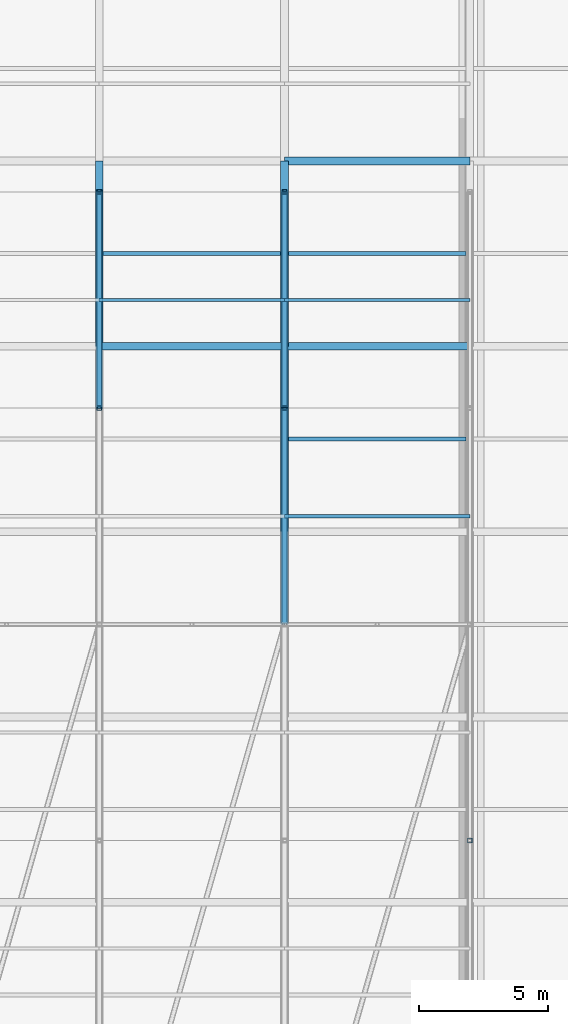
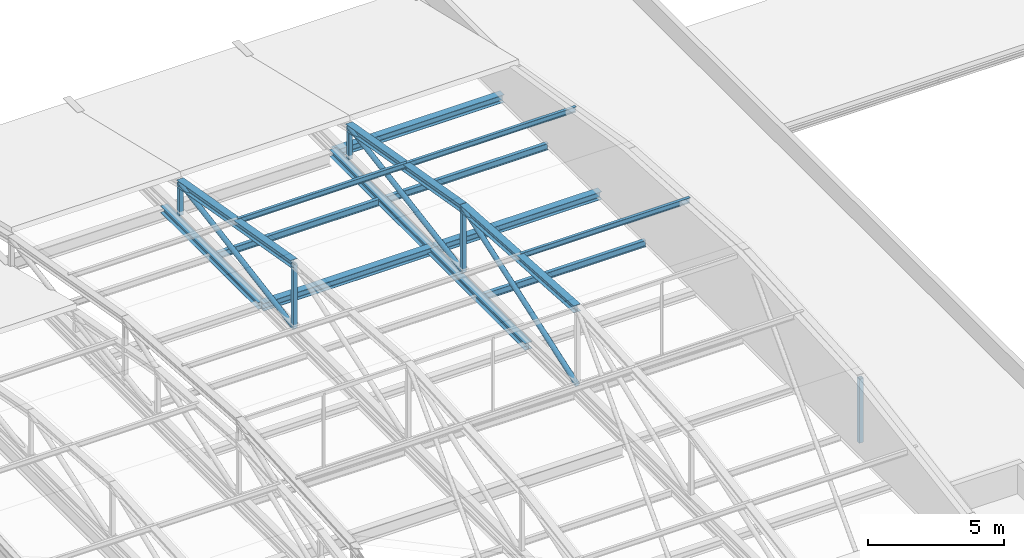
# One storey, part 37 of 76: 12 beams, 11 members.
"""IFC4 building model written with IfcOpenShell, lengths in metres."""

from ifc_helpers import new_model, si_unit, direction, frame, origin, origin_2d, place, context, subcontext, project, spatial, hollow_rectangle, hollow_circle, i_section, extrude, material, material_profile, profile_set, type_object, element, save


model = new_model("IFC4")

# Units and contexts
model_context = context("Model", 3, precision=1e-05, world=origin(), true_north=direction((0.0, 1.0)))
body_context = subcontext(model_context, "Body", "Model", "MODEL_VIEW")
ifc_project = project(units=[si_unit("LENGTHUNIT", "METRE"), si_unit("AREAUNIT", "SQUARE_METRE"), si_unit("VOLUMEUNIT", "CUBIC_METRE"), si_unit("PLANEANGLEUNIT", "RADIAN"), si_unit("MASSUNIT", "GRAM", prefix="KILO")], contexts=[model_context])

# Site, building, storey
site_placement = place(None, origin())
site = spatial("IfcSite", under=ifc_project, at=site_placement, CompositionType="ELEMENT")
building_placement = place(site_placement, origin())
building = spatial("IfcBuilding", under=site, at=building_placement, Name="Zlatovets Crest Museum", CompositionType="ELEMENT")
storey_placement = place(building_placement, frame((0.0, 0.0, 17.10009765625)))
storey = spatial("IfcBuildingStorey", under=building, at=storey_placement, Name="L04", CompositionType="ELEMENT", Elevation=17.10009765625)

# Beams
ifc_material = material(Name="Structural steel S355J2", Category="steel")
ifc_material_profile_1 = material_profile(ifc_material, i_section(OverallWidth=0.300048828125, OverallDepth=0.35009765625, WebThickness=0.010009765625, FlangeThickness=0.017578125, FilletRadius=0.027099609375, at=origin_2d()), Name="HEA 360")
ifc_profile_set_1 = profile_set([ifc_material_profile_1], Name="Structural steel S355J2")
beam_type_1 = type_object("IfcBeamType", Name="Beam_B-03", PredefinedType="BEAM", material=ifc_profile_set_1)
beam_1_placement = place(storey_placement, frame((14.39990234375, 86.39990234375, -0.39501953125), z_axis=(1.0, 0.0, 0.0), x_axis=(0.0, 1.0, 0.0)))
element("IfcBeam", 1, at=beam_1_placement, inside=storey, type_object=beam_type_1, Name="V4 L04 Primary Girder B-03", PredefinedType="BEAM", context=body_context, shape_type="SweptSolid", body=[
    extrude(i_section(OverallWidth=0.300048828125, OverallDepth=0.35009765625, WebThickness=0.010009765625, FlangeThickness=0.017578125, FilletRadius=0.027099609375, at=origin_2d()), origin(), (0.0, 0.0, 1.0), 7.2001953125),
])
for number, where, z_axis, x_axis, name in (
    (2, (21.60009765625, 86.39990234375, -0.39501953125), (1.0, 0.0, 0.0), (0.0, 1.0, 0.0), "V4 L04 Primary Girder B-03"),
    (3, (21.60009765625, 93.60009765625, -0.39501953125), (1.0, 0.0, 0.0), (0.0, 1.0, 0.0), "V4 L04 Primary Girder B-03"),
):
    element("IfcBeam", number, at=place(storey_placement, frame(where, z_axis=z_axis, x_axis=x_axis)), inside=storey, type_object=beam_type_1, Name=name, PredefinedType="BEAM", context=body_context, shape_type="SweptSolid", body=[
        extrude(i_section(OverallWidth=0.300048828125, OverallDepth=0.35009765625, WebThickness=0.010009765625, FlangeThickness=0.017578125, FilletRadius=0.027099609375, at=origin_2d()), origin(), (0.0, 0.0, 1.0), 7.199951171875),
    ])
ifc_material_profile_2 = material_profile(ifc_material, i_section(OverallWidth=0.300048828125, OverallDepth=0.31005859375, WebThickness=0.009033203125, FlangeThickness=0.015380859375, FilletRadius=0.027099609375, at=origin_2d()), Name="HEA 320")
ifc_profile_set_2 = profile_set([ifc_material_profile_2], Name="Structural steel S355J2")
beam_type_2 = type_object("IfcBeamType", Name="Beam_B-04", PredefinedType="BEAM", material=ifc_profile_set_2)
beam_2_placement = place(storey_placement, frame((14.39990234375, 86.39990234375, -0.375), z_axis=(0.0, 1.0, 0.0), x_axis=(-1.0, 0.0, 0.0)))
element("IfcBeam", 4, at=beam_2_placement, inside=storey, type_object=beam_type_2, Name="V4 L04 Grid Beam B-04", PredefinedType="BEAM", context=body_context, shape_type="SweptSolid", body=[
    extrude(i_section(OverallWidth=0.300048828125, OverallDepth=0.31005859375, WebThickness=0.009033203125, FlangeThickness=0.015380859375, FilletRadius=0.027099609375, at=origin_2d()), origin(), (0.0, 0.0, 1.0), 7.2001953125),
])
beam_3_placement = place(storey_placement, frame((21.60009765625, 79.199951171875, -0.375), z_axis=(0.0, 1.0, 0.0), x_axis=(-1.0, 0.0, 0.0)))
element("IfcBeam", 5, at=beam_3_placement, inside=storey, type_object=beam_type_2, Name="V4 L04 Grid Beam B-04", PredefinedType="BEAM", context=body_context, shape_type="SweptSolid", body=[
    extrude(i_section(OverallWidth=0.300048828125, OverallDepth=0.31005859375, WebThickness=0.009033203125, FlangeThickness=0.015380859375, FilletRadius=0.027099609375, at=origin_2d()), origin(), (0.0, 0.0, 1.0), 7.199951171875),
])
beam_4_placement = place(storey_placement, frame((21.60009765625, 86.39990234375, -0.375), z_axis=(0.0, 1.0, 0.0), x_axis=(-1.0, 0.0, 0.0)))
element("IfcBeam", 6, at=beam_4_placement, inside=storey, type_object=beam_type_2, Name="V4 L04 Grid Beam B-04", PredefinedType="BEAM", context=body_context, shape_type="SweptSolid", body=[
    extrude(i_section(OverallWidth=0.300048828125, OverallDepth=0.31005859375, WebThickness=0.009033203125, FlangeThickness=0.015380859375, FilletRadius=0.027099609375, at=origin_2d()), origin(), (0.0, 0.0, 1.0), 7.2001953125),
])
ifc_material_profile_3 = material_profile(ifc_material, i_section(OverallWidth=0.14990234375, OverallDepth=0.300048828125, WebThickness=0.007080078125, FlangeThickness=0.0107421875, FilletRadius=0.014892578125, at=origin_2d()), Name="IPE 300")
ifc_profile_set_3 = profile_set([ifc_material_profile_3], Name="Structural steel S355J2")
beam_type_3 = type_object("IfcBeamType", Name="Beam_J-02", PredefinedType="JOIST", material=ifc_profile_set_3)
for number, where, z_axis, x_axis, name in (
    (7, (14.550048828125, 90.0, -0.3701171875), (1.0, 0.0, 0.0), (0.0, 1.0, 0.0), "V4 L04 Composite Joist J-02"),
    (8, (21.75, 82.800048828125, -0.3701171875), (1.0, 0.0, 0.0), (0.0, 1.0, 0.0), "V4 L04 Composite Joist J-02"),
    (9, (21.75, 90.0, -0.3701171875), (1.0, 0.0, 0.0), (0.0, 1.0, 0.0), "V4 L04 Composite Joist J-02"),
):
    element("IfcBeam", number, at=place(storey_placement, frame(where, z_axis=z_axis, x_axis=x_axis)), inside=storey, type_object=beam_type_3, Name=name, PredefinedType="JOIST", context=body_context, shape_type="SweptSolid", body=[
        extrude(i_section(OverallWidth=0.14990234375, OverallDepth=0.300048828125, WebThickness=0.007080078125, FlangeThickness=0.0107421875, FilletRadius=0.014892578125, at=origin_2d()), origin(), (0.0, 0.0, 1.0), 6.89990234375),
    ])
ifc_material_profile_4 = material_profile(ifc_material, i_section(OverallWidth=0.1201171875, OverallDepth=0.239990234375, WebThickness=0.006103515625, FlangeThickness=0.009765625, FilletRadius=0.014892578125, at=origin_2d()), Name="IPE 240")
ifc_profile_set_4 = profile_set([ifc_material_profile_4], Name="Structural steel S355J2")
beam_type_4 = type_object("IfcBeamType", Name="Beam_PR-01", PredefinedType="BEAM", material=ifc_profile_set_4)
beam_5_placement = place(storey_placement, frame((14.39990234375, 88.199951171875, 2.33203125), z_axis=(1.0, 0.0, 0.0), x_axis=(0.0, 1.0, 0.0)))
element("IfcBeam", 10, at=beam_5_placement, inside=storey, type_object=beam_type_4, Name="V4 Barrel Vault Longitudinal Purlin", PredefinedType="BEAM", context=body_context, shape_type="SweptSolid", body=[
    extrude(i_section(OverallWidth=0.1201171875, OverallDepth=0.239990234375, WebThickness=0.006103515625, FlangeThickness=0.009765625, FilletRadius=0.014892578125, at=origin_2d()), origin(), (0.0, 0.0, 1.0), 7.2001953125),
])
for number, where, z_axis, x_axis, name in (
    (11, (21.60009765625, 79.800048828125, 3.33203125), (1.0, 0.0, 0.0), (0.0, 1.0, 0.0), "V4 Barrel Vault Longitudinal Purlin"),
    (12, (21.60009765625, 88.199951171875, 2.33203125), (1.0, 0.0, 0.0), (0.0, 1.0, 0.0), "V4 Barrel Vault Longitudinal Purlin"),
):
    element("IfcBeam", number, at=place(storey_placement, frame(where, z_axis=z_axis, x_axis=x_axis)), inside=storey, type_object=beam_type_4, Name=name, PredefinedType="BEAM", context=body_context, shape_type="SweptSolid", body=[
        extrude(i_section(OverallWidth=0.1201171875, OverallDepth=0.239990234375, WebThickness=0.006103515625, FlangeThickness=0.009765625, FilletRadius=0.014892578125, at=origin_2d()), origin(), (0.0, 0.0, 1.0), 7.199951171875),
    ])

# Members
ifc_material_profile_5 = material_profile(ifc_material, i_section(OverallWidth=0.300048828125, OverallDepth=0.31005859375, WebThickness=0.009033203125, FlangeThickness=0.015380859375, FilletRadius=0.027099609375, at=origin_2d()), Name="HEA 320")
ifc_profile_set_5 = profile_set([ifc_material_profile_5], Name="Structural steel S355J2")
member_type_1 = type_object("IfcMemberType", Name="Member_TM-02", PredefinedType="RAFTER", material=ifc_profile_set_5)
member_1_placement = place(storey_placement, frame((14.39990234375, 84.0, 2.964111328125), z_axis=(0.0, 0.985147168776, -0.171712130766), x_axis=(-1.0, 0.0, 0.0)))
element("IfcMember", 13, at=member_1_placement, inside=storey, type_object=member_type_1, Name="V4 Art Nouveau Curved Vault Rib", PredefinedType="RAFTER", context=body_context, shape_type="SweptSolid", body=[
    extrude(i_section(OverallWidth=0.300048828125, OverallDepth=0.31005859375, WebThickness=0.009033203125, FlangeThickness=0.015380859375, FilletRadius=0.027099609375, at=origin_2d()), origin(), (0.0, 0.0, 1.0), 8.526611328125),
])
member_2_placement = place(storey_placement, frame((21.60009765625, 75.60009765625, 3.5), z_axis=(0.0, 0.997971161643, -0.063667578324), x_axis=(-1.0, 0.0, 0.0)))
element("IfcMember", 14, at=member_2_placement, inside=storey, type_object=member_type_1, Name="V4 Art Nouveau Curved Vault Rib", PredefinedType="RAFTER", context=body_context, shape_type="SweptSolid", body=[
    extrude(i_section(OverallWidth=0.300048828125, OverallDepth=0.31005859375, WebThickness=0.009033203125, FlangeThickness=0.015380859375, FilletRadius=0.027099609375, at=origin_2d()), origin(), (0.0, 0.0, 1.0), 8.4169921875),
])
member_3_placement = place(storey_placement, frame((21.60009765625, 84.0, 2.964111328125), z_axis=(0.0, 0.985147168776, -0.171712130766), x_axis=(-1.0, 0.0, 0.0)))
element("IfcMember", 15, at=member_3_placement, inside=storey, type_object=member_type_1, Name="V4 Art Nouveau Curved Vault Rib", PredefinedType="RAFTER", context=body_context, shape_type="SweptSolid", body=[
    extrude(i_section(OverallWidth=0.300048828125, OverallDepth=0.31005859375, WebThickness=0.009033203125, FlangeThickness=0.015380859375, FilletRadius=0.027099609375, at=origin_2d()), origin(), (0.0, 0.0, 1.0), 8.526611328125),
])
ifc_material_profile_6 = material_profile(ifc_material, hollow_rectangle(XDim=0.179931640625, YDim=0.179931640625, WallThickness=0.010009765625, InnerFilletRadius=0.010009765625, OuterFilletRadius=0.02001953125, at=origin_2d()), Name="SHS 180x180x10.0")
ifc_profile_set_6 = profile_set([ifc_material_profile_6], Name="Structural steel S355J2")
member_type_2 = type_object("IfcMemberType", Name="Member_TM-04", PredefinedType="STRUT", material=ifc_profile_set_6)
member_4_placement = place(storey_placement, frame((14.39990234375, 84.0, 0.079833984375), z_axis=(0.0, 0.0, 1.0), x_axis=(1.0, 0.0, 0.0)))
element("IfcMember", 16, at=member_4_placement, inside=storey, type_object=member_type_2, Name="V4 Barrel Vault Web Strut", PredefinedType="STRUT", context=body_context, shape_type="SweptSolid", body=[
    extrude(hollow_rectangle(XDim=0.179931640625, YDim=0.179931640625, WallThickness=0.010009765625, InnerFilletRadius=0.010009765625, OuterFilletRadius=0.02001953125, at=origin_2d()), origin(), (0.0, 0.0, 1.0), 2.88427734375),
])
member_5_placement = place(storey_placement, frame((14.39990234375, 92.39990234375, 0.079833984375), z_axis=(0.0, 0.0, 1.0), x_axis=(1.0, 0.0, 0.0)))
element("IfcMember", 17, at=member_5_placement, inside=storey, type_object=member_type_2, Name="V4 Barrel Vault Web Strut", PredefinedType="STRUT", context=body_context, shape_type="SweptSolid", body=[
    extrude(hollow_rectangle(XDim=0.179931640625, YDim=0.179931640625, WallThickness=0.010009765625, InnerFilletRadius=0.010009765625, OuterFilletRadius=0.02001953125, at=origin_2d()), origin(), (0.0, 0.0, 1.0), 1.420166015625),
])
member_6_placement = place(storey_placement, frame((21.60009765625, 84.0, 0.079833984375), z_axis=(0.0, 0.0, 1.0), x_axis=(1.0, 0.0, 0.0)))
element("IfcMember", 18, at=member_6_placement, inside=storey, type_object=member_type_2, Name="V4 Barrel Vault Web Strut", PredefinedType="STRUT", context=body_context, shape_type="SweptSolid", body=[
    extrude(hollow_rectangle(XDim=0.179931640625, YDim=0.179931640625, WallThickness=0.010009765625, InnerFilletRadius=0.010009765625, OuterFilletRadius=0.02001953125, at=origin_2d()), origin(), (0.0, 0.0, 1.0), 2.88427734375),
])
member_7_placement = place(storey_placement, frame((21.60009765625, 92.39990234375, 0.079833984375), z_axis=(0.0, 0.0, 1.0), x_axis=(1.0, 0.0, 0.0)))
element("IfcMember", 19, at=member_7_placement, inside=storey, type_object=member_type_2, Name="V4 Barrel Vault Web Strut", PredefinedType="STRUT", context=body_context, shape_type="SweptSolid", body=[
    extrude(hollow_rectangle(XDim=0.179931640625, YDim=0.179931640625, WallThickness=0.010009765625, InnerFilletRadius=0.010009765625, OuterFilletRadius=0.02001953125, at=origin_2d()), origin(), (0.0, 0.0, 1.0), 1.420166015625),
])
member_8_placement = place(storey_placement, frame((28.800048828125, 67.199951171875, 0.079833984375), z_axis=(0.0, 0.0, 1.0), x_axis=(1.0, 0.0, 0.0)))
element("IfcMember", 20, at=member_8_placement, inside=storey, type_object=member_type_2, Name="V4 Barrel Vault Web Strut", PredefinedType="STRUT", context=body_context, shape_type="SweptSolid", body=[
    extrude(hollow_rectangle(XDim=0.179931640625, YDim=0.179931640625, WallThickness=0.010009765625, InnerFilletRadius=0.010009765625, OuterFilletRadius=0.02001953125, at=origin_2d()), origin(), (0.0, 0.0, 1.0), 2.88427734375),
])
ifc_material_profile_7 = material_profile(ifc_material, hollow_circle(Radius=0.109619140625, WallThickness=0.010009765625, at=origin_2d()), Name="CHS 219.1x10.0")
ifc_profile_set_7 = profile_set([ifc_material_profile_7], Name="Structural steel S355J2")
member_type_3 = type_object("IfcMemberType", Name="Member_TM-05", PredefinedType="BRACE", material=ifc_profile_set_7)
member_9_placement = place(storey_placement, frame((14.39990234375, 84.0, 0.079833984375), z_axis=(0.0, 0.986007058524, 0.166703570872), x_axis=(-1.0, 0.0, 0.0)))
element("IfcMember", 21, at=member_9_placement, inside=storey, type_object=member_type_3, Name="V4 Barrel Vault Web Diagonal", PredefinedType="BRACE", context=body_context, shape_type="SweptSolid", body=[
    extrude(hollow_circle(Radius=0.109619140625, WallThickness=0.010009765625, at=origin_2d()), origin(), (0.0, 0.0, 1.0), 8.51904296875),
])
member_10_placement = place(storey_placement, frame((21.60009765625, 75.60009765625, 0.079833984375), z_axis=(0.0, 0.945796934136, 0.324758617098), x_axis=(-1.0, 0.0, 0.0)))
element("IfcMember", 22, at=member_10_placement, inside=storey, type_object=member_type_3, Name="V4 Barrel Vault Web Diagonal", PredefinedType="BRACE", context=body_context, shape_type="SweptSolid", body=[
    extrude(hollow_circle(Radius=0.109619140625, WallThickness=0.010009765625, at=origin_2d()), origin(), (0.0, 0.0, 1.0), 8.88134765625),
])
member_11_placement = place(storey_placement, frame((21.60009765625, 84.0, 0.079833984375), z_axis=(0.0, 0.986007058524, 0.166703570872), x_axis=(-1.0, 0.0, 0.0)))
element("IfcMember", 23, at=member_11_placement, inside=storey, type_object=member_type_3, Name="V4 Barrel Vault Web Diagonal", PredefinedType="BRACE", context=body_context, shape_type="SweptSolid", body=[
    extrude(hollow_circle(Radius=0.109619140625, WallThickness=0.010009765625, at=origin_2d()), origin(), (0.0, 0.0, 1.0), 8.51904296875),
])

save(model, "model.ifc")
